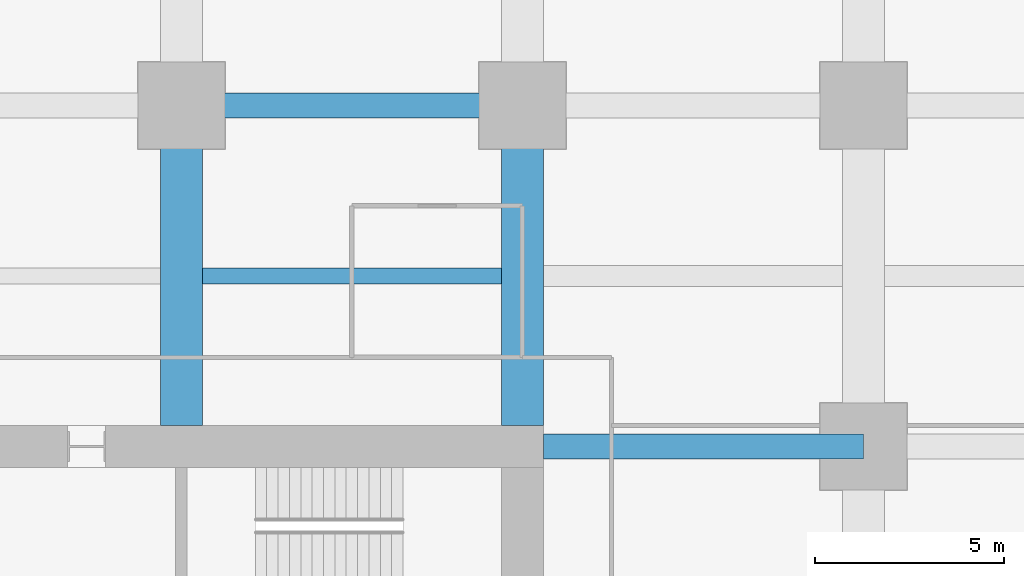
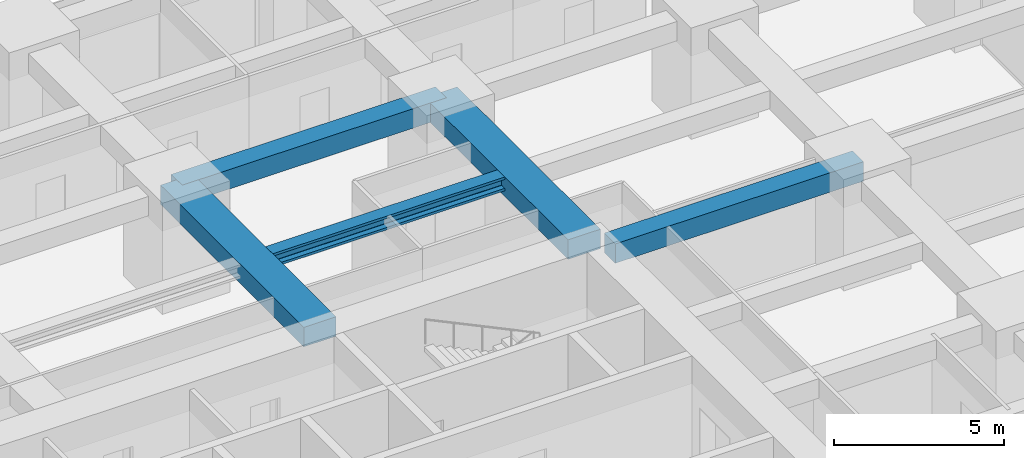
# One storey, part 31 of 44: 5 beams.
"""IFC4 building model written with IfcOpenShell, lengths in metres."""

from ifc_helpers import new_model, si_unit, direction, frame, origin, origin_2d, place, context, subcontext, project, spatial, rectangle, i_section, extrude, material, material_profile, profile_set, type_object, element, save


model = new_model("IFC4")

# Units and contexts
model_context = context("Model", 3, precision=1e-05, world=origin(), true_north=direction((0.0, 1.0)))
body_context = subcontext(model_context, "Body", "Model", "MODEL_VIEW")
ifc_project = project(units=[si_unit("LENGTHUNIT", "METRE"), si_unit("AREAUNIT", "SQUARE_METRE"), si_unit("VOLUMEUNIT", "CUBIC_METRE"), si_unit("PLANEANGLEUNIT", "RADIAN"), si_unit("MASSUNIT", "GRAM", prefix="KILO")], contexts=[model_context])

# Site, building, storey
site_placement = place(None, origin())
site = spatial("IfcSite", under=ifc_project, at=site_placement, CompositionType="ELEMENT")
building_placement = place(site_placement, origin())
building = spatial("IfcBuilding", under=site, at=building_placement, Name="Zorevar Civic Tower", CompositionType="ELEMENT")
storey_placement = place(building_placement, frame((0.0, 0.0, 35.800048828125)))
storey = spatial("IfcBuildingStorey", under=building, at=storey_placement, Name="L08", CompositionType="ELEMENT", Elevation=35.800048828125)

# Beams
ifc_material_1 = material(Name="Concrete C50/60", Category="concrete")
ifc_material_profile_1 = material_profile(ifc_material_1, rectangle(XDim=1.10009765625, YDim=0.699951171875, at=origin_2d()), Name="RC 1100x700")
ifc_profile_set_1 = profile_set([ifc_material_profile_1], Name="Concrete C50/60")
beam_type_1 = type_object("IfcBeamType", Name="Beam RC 1100x700", PredefinedType="BEAM", material=ifc_profile_set_1)
for number, where, z_axis, x_axis, name in (
    (1, (36.0, 36.550048828125, 3.39990234375), (0.0, 1.0, 0.0), (-1.0, 0.0, 0.0), "Girder L09"),
    (2, (45.0, 36.550048828125, 3.39990234375), (0.0, 1.0, 0.0), (-1.0, 0.0, 0.0), "Girder L09"),
):
    element("IfcBeam", number, at=place(storey_placement, frame(where, z_axis=z_axis, x_axis=x_axis)), inside=storey, type_object=beam_type_1, Name=name, PredefinedType="BEAM", context=body_context, shape_type="SweptSolid", body=[
        extrude(rectangle(XDim=1.10009765625, YDim=0.699951171875, at=origin_2d()), origin(), (0.0, 0.0, 1.0), 8.449951171875),
    ])
ifc_material_2 = material(Name="Concrete C50/60", Category="concrete")
ifc_material_profile_2 = material_profile(ifc_material_2, rectangle(XDim=0.64990234375, YDim=0.699951171875, at=origin_2d()), Name="RC 650x700")
ifc_profile_set_2 = profile_set([ifc_material_profile_2], Name="Concrete C50/60")
beam_type_2 = type_object("IfcBeamType", Name="Beam RC 650x700", PredefinedType="BEAM", material=ifc_profile_set_2)
beam_1_placement = place(storey_placement, frame((45.550048828125, 36.0, 3.39990234375), z_axis=(1.0, 0.0, 0.0), x_axis=(0.0, 1.0, 0.0)))
element("IfcBeam", 3, at=beam_1_placement, inside=storey, type_object=beam_type_2, Name="Girder L09", PredefinedType="BEAM", context=body_context, shape_type="SweptSolid", body=[
    extrude(rectangle(XDim=0.64990234375, YDim=0.699951171875, at=origin_2d()), origin(), (0.0, 0.0, 1.0), 8.449951171875),
])
beam_2_placement = place(storey_placement, frame((36.0, 45.0, 3.39990234375), z_axis=(1.0, 0.0, 0.0), x_axis=(0.0, 1.0, 0.0)))
element("IfcBeam", 4, at=beam_2_placement, inside=storey, type_object=beam_type_2, Name="Girder L09", PredefinedType="BEAM", context=body_context, shape_type="SweptSolid", body=[
    extrude(rectangle(XDim=0.64990234375, YDim=0.699951171875, at=origin_2d()), origin(), (0.0, 0.0, 1.0), 9.0),
])
ifc_material_3 = material(Name="Steel S460M (HISTAR 460)", Category="steel")
ifc_material_profile_3 = material_profile(ifc_material_3, i_section(OverallWidth=0.431884765625, OverallDepth=0.498046875, WebThickness=0.0556640625, FlangeThickness=0.0888671875, FilletRadius=0.014892578125, at=origin_2d()), Name="HD 400x744")
ifc_profile_set_3 = profile_set([ifc_material_profile_3], Name="Steel S460M (HISTAR 460)")
beam_type_3 = type_object("IfcBeamType", Name="Core bay beam HD 400x744", PredefinedType="BEAM", material=ifc_profile_set_3)
beam_3_placement = place(storey_placement, frame((36.550048828125, 40.5, 3.5009765625), z_axis=(1.0, 0.0, 0.0), x_axis=(0.0, 1.0, 0.0)))
element("IfcBeam", 5, at=beam_3_placement, inside=storey, type_object=beam_type_3, Name="Secondary beam L09", PredefinedType="BEAM", context=body_context, shape_type="SweptSolid", body=[
    extrude(i_section(OverallWidth=0.431884765625, OverallDepth=0.498046875, WebThickness=0.0556640625, FlangeThickness=0.0888671875, FilletRadius=0.014892578125, at=origin_2d()), origin(), (0.0, 0.0, 1.0), 7.89990234375),
])

save(model, "model.ifc")
